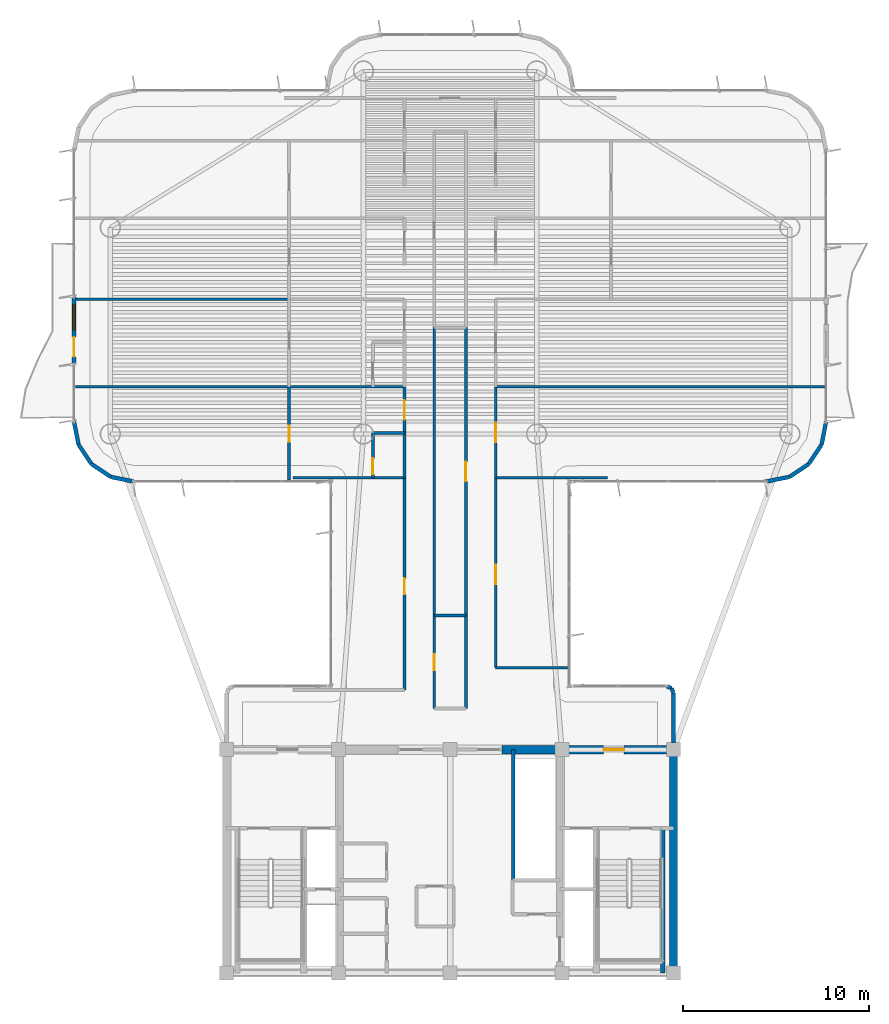
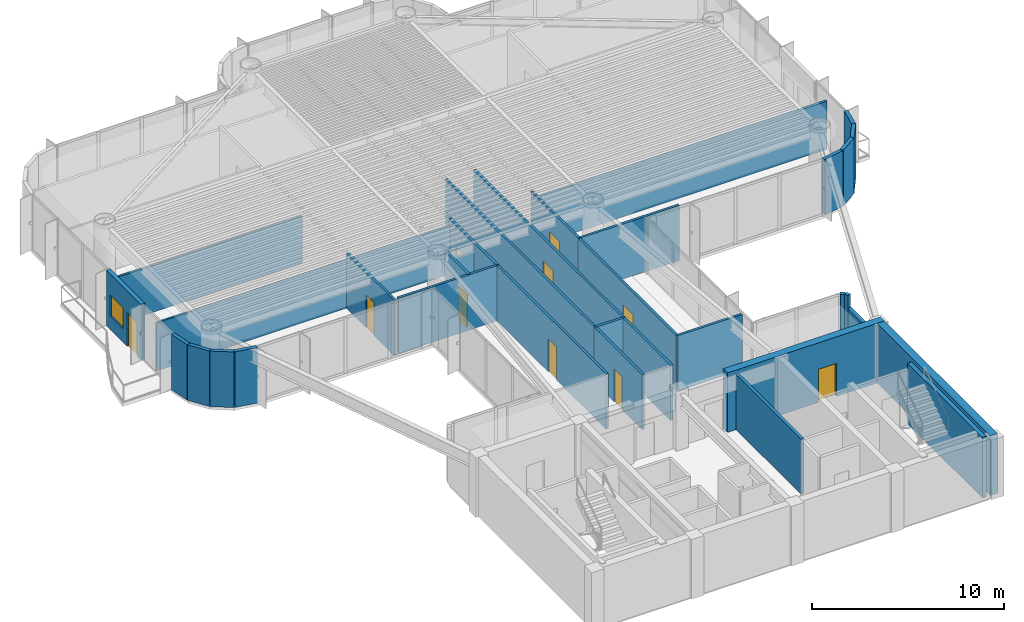
# One storey, part 10 of 14: 36 walls, 10 doors, 1 window, 11 openings.
"""IFC4 building model written with IfcOpenShell, lengths in metres."""

import ifcopenshell
import ifcopenshell.guid

model = None  # the IFC model being written
_history = None  # IfcOwnerHistory: only IFC2X3 demands one
_inside = {}  # id of a spatial element -> (the spatial element, [elements in it])
_under = {}  # id of a project, library or spatial element -> (it, [spatial elements below it])
_declared = {}  # id of a project -> (the project, [libraries it declares])
_typed = {}  # id of a type object -> (the type object, [elements of that type])
_made_of = {}  # id of a material, layer set ... -> (it, [elements and type objects made of it])


def new_model(schema):
    """Start an empty IFC model of exactly this schema.

    Asked for "IFC4X3", IfcOpenShell would pick the latest addendum, in which some entities
    have other attributes; the version numbers below select the first issue.
    IFC2X3 requires an IfcOwnerHistory on every rooted entity: one is made here for all.
    """
    global model, _history
    if schema == "IFC4X3":
        model = ifcopenshell.file(schema_version=(4, 3, 0, 0))
    else:
        model = ifcopenshell.file(schema=schema)
    _inside.clear()
    _under.clear()
    _declared.clear()
    _typed.clear()
    _made_of.clear()
    _history = None
    if model.schema == "IFC2X3":
        org = make("IfcOrganization", Name="unknown")
        user = make(
            "IfcPersonAndOrganization",
            ThePerson=make("IfcPerson", FamilyName="unknown"),
            TheOrganization=org,
        )
        app = make(
            "IfcApplication",
            ApplicationDeveloper=org,
            Version="unknown",
            ApplicationFullName="unknown",
            ApplicationIdentifier="unknown",
        )
        _history = make(
            "IfcOwnerHistory",
            OwningUser=user,
            OwningApplication=app,
            ChangeAction="ADDED",
            CreationDate=0,
        )
    return model


def make(cls, **values):
    """One entity of the class cls with the attributes given. An attribute that is None is left unset."""
    return model.create_entity(
        cls, **{name: value for name, value in values.items() if value is not None}
    )


def rooted(cls, **values):
    """An entity with a GlobalId (a new one), such as an element, a storey or a relation."""
    return make(cls, GlobalId=ifcopenshell.guid.new(), OwnerHistory=_history, **values)


def si_unit(unit_type, name, prefix=None):
    """IfcSIUnit, for example si_unit("LENGTHUNIT", "METRE", prefix="MILLI")."""
    return make("IfcSIUnit", UnitType=unit_type, Prefix=prefix, Name=name)


def assignment(units):
    """IfcUnitAssignment: the units of a project."""
    return None if units is None else make("IfcUnitAssignment", Units=units)


def point(xyz):
    """IfcCartesianPoint."""
    return None if xyz is None else make("IfcCartesianPoint", Coordinates=xyz)


def direction(xyz):
    """IfcDirection."""
    return None if xyz is None else make("IfcDirection", DirectionRatios=xyz)


def frame(location, z_axis=None, x_axis=None):
    """IfcAxis2Placement3D, a coordinate frame: its origin and axes. An axis left out is left unset."""
    return make(
        "IfcAxis2Placement3D",
        Location=point(location),
        Axis=direction(z_axis),
        RefDirection=direction(x_axis),
    )


def frame_2d(location, x_axis=None):
    """IfcAxis2Placement2D, a coordinate frame in the plane: its origin and x axis."""
    return make(
        "IfcAxis2Placement2D", Location=point(location), RefDirection=direction(x_axis)
    )


def origin():
    """The frame at (0, 0, 0) with its axes left unset."""
    return frame((0.0, 0.0, 0.0))


def origin_2d():
    """The frame at (0, 0) in the plane with its x axis left unset."""
    return frame_2d((0.0, 0.0))


def place(relative_to, where):
    """IfcLocalPlacement: puts the frame where relative to a parent placement (None: the world)."""
    return make(
        "IfcLocalPlacement", PlacementRelTo=relative_to, RelativePlacement=where
    )


def context(
    kind, dimensions, precision=None, world=None, true_north=None, identifier=None
):
    """IfcGeometricRepresentationContext, for example the 3D "Model" context."""
    return make(
        "IfcGeometricRepresentationContext",
        ContextIdentifier=identifier,
        ContextType=kind,
        CoordinateSpaceDimension=dimensions,
        Precision=precision,
        WorldCoordinateSystem=world,
        TrueNorth=true_north,
    )


def subcontext(parent, identifier, kind, view, scale=None):
    """IfcGeometricRepresentationSubContext, for example "Body" below "Model"."""
    return make(
        "IfcGeometricRepresentationSubContext",
        ContextIdentifier=identifier,
        ContextType=kind,
        ParentContext=parent,
        TargetScale=scale,
        TargetView=view,
    )


def project(units=None, contexts=None):
    """IfcProject with its units and contexts."""
    return rooted(
        "IfcProject",
        Name="project",
        RepresentationContexts=contexts,
        UnitsInContext=assignment(units),
    )


def spatial(cls, under=None, at=None, **own):
    """A site, building, storey or space (cls), placed at a placement, below another one or the project."""
    s = rooted(cls, ObjectPlacement=at, **own)
    if under is not None:
        _under.setdefault(under.id(), (under, []))[1].append(s)
    return s


def profile(cls, at=None, kind="AREA", **sizes):
    """A parametric profile (cls). Its sizes go by their IFC names, for example OverallWidth=200.0."""
    return make(cls, ProfileType=kind, Position=at, **sizes)


def rectangle(**sizes):
    """IfcRectangleProfileDef."""
    return profile("IfcRectangleProfileDef", **sizes)


def extrude(swept, where, along, depth):
    """IfcExtrudedAreaSolid: the profile swept, set in the frame where, extruded along a direction by depth."""
    return make(
        "IfcExtrudedAreaSolid",
        SweptArea=swept,
        Position=where,
        ExtrudedDirection=direction(along),
        Depth=depth,
    )


def shape(context_of_items, identifier, shape_type, items):
    """IfcShapeRepresentation: the items that make up one representation, for example the "Body"."""
    return make(
        "IfcShapeRepresentation",
        ContextOfItems=context_of_items,
        RepresentationIdentifier=identifier,
        RepresentationType=shape_type,
        Items=items,
    )


def source(mapping_origin, context_of_items, identifier, shape_type, items):
    """IfcRepresentationMap: a shape defined once, which mapped items show again and again."""
    return make(
        "IfcRepresentationMap",
        MappingOrigin=mapping_origin,
        MappedRepresentation=shape(context_of_items, identifier, shape_type, items),
    )


def transform(
    local_origin,
    x_axis=None,
    y_axis=None,
    z_axis=None,
    scale=None,
    scale2=None,
    scale3=None,
    uniform=True,
):
    """IfcCartesianTransformationOperator3D, or its non-uniform kind. x_axis, y_axis, z_axis: its Axis1, 2, 3."""
    if uniform:
        return make(
            "IfcCartesianTransformationOperator3D",
            Axis1=direction(x_axis),
            Axis2=direction(y_axis),
            LocalOrigin=point(local_origin),
            Scale=scale,
            Axis3=direction(z_axis),
        )
    return make(
        "IfcCartesianTransformationOperator3DnonUniform",
        Axis1=direction(x_axis),
        Axis2=direction(y_axis),
        LocalOrigin=point(local_origin),
        Scale=scale,
        Axis3=direction(z_axis),
        Scale2=scale2,
        Scale3=scale3,
    )


def mapped(mapping_source, mapping_target):
    """IfcMappedItem: shows the shape of a source again, moved by a transform."""
    return make(
        "IfcMappedItem", MappingSource=mapping_source, MappingTarget=mapping_target
    )


def material(Name=None, Category=None):
    """IfcMaterial."""
    return make("IfcMaterial", Name=Name, Category=Category)


def layer(
    of_material, thickness, ventilated=None, Name=None, Category=None, Priority=None
):
    """IfcMaterialLayer: one layer of a wall or slab, of a material (None: an air gap)."""
    return make(
        "IfcMaterialLayer",
        Material=of_material,
        LayerThickness=thickness,
        IsVentilated=ventilated,
        Name=Name,
        Category=Category,
        Priority=Priority,
    )


def layer_set(layers, Name=None):
    """IfcMaterialLayerSet."""
    return make("IfcMaterialLayerSet", MaterialLayers=layers, LayerSetName=Name)


def made_of(thing, what):
    """Note that an element or type object is made of a material, layer set ...; save() writes the relation."""
    if what is not None:
        _made_of.setdefault(what.id(), (what, []))[1].append(thing)
    return thing


def type_object(cls, material=None, **own):
    """A type object (cls), such as IfcWallType, which elements share."""
    return made_of(rooted(cls, **own), material)


def element(
    cls,
    number,
    at=None,
    inside=None,
    cuts=None,
    type_object=None,
    material=None,
    context=None,
    identifier="Body",
    shape_type=None,
    held_by="IfcProductDefinitionShape",
    body=None,
    shapes=None,
    **own,
):
    """One element of the class cls, such as IfcWall. Its Tag is "e" and its number.

    at: its placement. inside: the storey or other place that contains it. cuts: it is an
    opening in that element (IfcRelVoidsElement). A single representation is given by context,
    identifier, shape_type and body (its items); several are given by shapes. held_by: the class
    of the entity that holds the representations. save() writes the other relations.
    """
    e = rooted(cls, Tag="e%d" % number, ObjectPlacement=at, **own)
    if body is not None:
        shapes = [shape(context, identifier, shape_type, body)]
    if shapes is not None:
        e.Representation = make(held_by, Representations=shapes)
    if inside is not None:
        _inside.setdefault(inside.id(), (inside, []))[1].append(e)
    if cuts is not None:
        rooted(
            "IfcRelVoidsElement", RelatingBuildingElement=cuts, RelatedOpeningElement=e
        )
    if type_object is not None:
        _typed.setdefault(type_object.id(), (type_object, []))[1].append(e)
    return made_of(e, material)


def fill(opening, filler):
    """IfcRelFillsElement: the door or window that sits in an opening."""
    return rooted(
        "IfcRelFillsElement",
        RelatingOpeningElement=opening,
        RelatedBuildingElement=filler,
    )


def aggregate(whole, parts):
    """IfcRelAggregates: a whole, such as a stair, and the parts it consists of."""
    return rooted("IfcRelAggregates", RelatingObject=whole, RelatedObjects=parts)


def save(model, path):
    """Write the relations noted so far, then the file.

    IfcRelAggregates (storeys below a building ...), IfcRelContainedInSpatialStructure (elements
    in a storey), IfcRelDefinesByType, IfcRelAssociatesMaterial and IfcRelDeclares: one each for
    every whole, place, type object, material and project.
    """
    for whole, parts in _under.values():
        aggregate(whole, parts)
    for where, things in _inside.values():
        rooted(
            "IfcRelContainedInSpatialStructure",
            RelatedElements=things,
            RelatingStructure=where,
        )
    for kind, things in _typed.values():
        rooted("IfcRelDefinesByType", RelatedObjects=things, RelatingType=kind)
    for what, things in _made_of.values():
        rooted("IfcRelAssociatesMaterial", RelatedObjects=things, RelatingMaterial=what)
    for by, libraries in _declared.values():
        rooted("IfcRelDeclares", RelatingContext=by, RelatedDefinitions=libraries)
    model.write(path)


model = new_model("IFC4")

# Units and contexts
model_context = context("Model", 3, precision=1e-05, world=origin(), true_north=direction((0.0, 1.0)))
body_context = subcontext(model_context, "Body", "Model", "MODEL_VIEW")
ifc_project = project(units=[si_unit("LENGTHUNIT", "METRE"), si_unit("AREAUNIT", "SQUARE_METRE"), si_unit("VOLUMEUNIT", "CUBIC_METRE"), si_unit("PLANEANGLEUNIT", "RADIAN"), si_unit("MASSUNIT", "GRAM", prefix="KILO")], contexts=[model_context])

# Site, building, storey
site_placement = place(None, origin())
site = spatial("IfcSite", under=ifc_project, at=site_placement, CompositionType="ELEMENT")
building_placement = place(site_placement, origin())
building = spatial("IfcBuilding", under=site, at=building_placement, Name="Brelvock Crest Care Tower", CompositionType="ELEMENT")
storey_placement = place(building_placement, frame((0.0, 0.0, 194.219970703125)))
storey = spatial("IfcBuildingStorey", under=building, at=storey_placement, Name="L49", CompositionType="ELEMENT", Elevation=194.219970703125)

# Wall
ifc_material_1 = material(Name="Concrete S65 (65 MPa)", Category="concrete")
ifc_layer_1 = layer(ifc_material_1, 0.449951171875, Name="WL-CS3")
ifc_layer_set_1 = layer_set([ifc_layer_1], Name="Concrete S65 (65 MPa)")
wall_type_1 = type_object("IfcWallType", Name="WL-CS3", PredefinedType="SHEAR", material=ifc_layer_set_1)
wall_1_placement = place(storey_placement, frame((48.0, 18.0, 0.0), z_axis=(0.0, 0.0, 1.0), x_axis=(0.0, -1.0, 0.0)))
element("IfcWall", 1, at=wall_1_placement, inside=storey, type_object=wall_type_1, Name="L49 Core East Shear Wall", PredefinedType="SHEAR", context=body_context, shape_type="SweptSolid", body=[
    extrude(rectangle(XDim=12.0, YDim=0.449951171875, at=frame_2d((6.0, 0.0))), origin(), (0.0, 0.0, 1.0), 3.780029296875),
])

# Wall, opening, door
wall_2_placement = place(storey_placement, frame((38.800048828125, 18.0, 0.0), z_axis=(0.0, 0.0, 1.0), x_axis=(1.0, 0.0, 0.0)))
wall_2 = element("IfcWall", 2, at=wall_2_placement, inside=storey, type_object=wall_type_1, Name="L49 Core North-East Shear Wall", PredefinedType="SHEAR", context=body_context, shape_type="SweptSolid", body=[
    extrude(rectangle(XDim=9.425048828125, YDim=0.449951171875, at=frame_2d((4.71240234375, 0.0))), origin(), (0.0, 0.0, 1.0), 3.780029296875),
])
opening_1_placement = place(wall_2_placement, frame((5.449951171875, 0.0, 0.0)))
opening_1 = element("IfcOpeningElement", 3, at=opening_1_placement, cuts=wall_2, Name="Opening FD-1", PredefinedType="OPENING", context=body_context, shape_type="SweptSolid", body=[
    extrude(rectangle(XDim=1.10009765625, YDim=2.10009765625, at=origin_2d()), frame((0.550048828125, 0.23486328125, 1.050048828125), z_axis=(0.0, -1.0, 0.0), x_axis=(1.0, 0.0, 0.0)), (0.0, 0.0, 1.0), 0.469970703125),
])
ifc_material_2 = material(Name="Steel Grade 350", Category="steel")
door_type_1 = type_object("IfcDoorType", Name="DR-FFL1", OperationType="NOTDEFINED", PredefinedType="DOOR", material=ifc_material_2)
shared_shape_1 = source(origin(), body_context, "Body", "SweptSolid", [
    extrude(rectangle(XDim=1.10009765625, YDim=2.10009765625, at=origin_2d()), frame((0.550048828125, 0.02490234375, 1.050048828125), z_axis=(0.0, -1.0, 0.0), x_axis=(1.0, 0.0, 0.0)), (0.0, 0.0, 1.0), 0.050048828125),
])
door_1_placement = place(opening_1_placement, origin())
door_1 = element("IfcDoor", 4, at=door_1_placement, inside=storey, type_object=door_type_1, Name="L49 Firefighting Lobby FFL-2 Exit Door", OperationType="SINGLE_SWING_RIGHT", OverallHeight=2.10009765625, OverallWidth=1.10009765625, PredefinedType="DOOR", context=body_context, shape_type="MappedRepresentation", body=[
    mapped(shared_shape_1, transform((0.0, 0.0, 0.0), x_axis=(1.0, 0.0, 0.0), y_axis=(0.0, 1.0, 0.0), z_axis=(0.0, 0.0, 1.0), scale=1.0)),
])
fill(opening_1, door_1)

# Wall
ifc_material_3 = material(Name="Concrete S80 (80 MPa)", Category="concrete")
ifc_layer_2 = layer(ifc_material_3, 0.25, Name="WL-CS6")
ifc_layer_set_2 = layer_set([ifc_layer_2], Name="Concrete S80 (80 MPa)")
wall_type_2 = type_object("IfcWallType", Name="WL-CS6", PredefinedType="SHEAR", material=ifc_layer_set_2)
wall_3_placement = place(storey_placement, frame((47.419921875, 6.0, 0.0), z_axis=(0.0, 0.0, 1.0), x_axis=(0.0, 1.0, 0.0)))
element("IfcWall", 5, at=wall_3_placement, inside=storey, type_object=wall_type_2, Name="L49 Core Stair ST-2 East Shear Wall", PredefinedType="SHEAR", context=body_context, shape_type="SweptSolid", body=[
    extrude(rectangle(XDim=7.780029296875, YDim=0.25, at=frame_2d((3.89013671875, 0.0))), origin(), (0.0, 0.0, 1.0), 3.85009765625),
])

# Wall, openings, door, window
ifc_material_4 = material(Name="Precast concrete N40 (40 MPa)", Category="concrete")
ifc_layer_3 = layer(ifc_material_4, 0.239990234375, Name="WL-EX1")
ifc_layer_set_3 = layer_set([ifc_layer_3], Name="Precast concrete N40 (40 MPa)")
wall_type_3 = type_object("IfcWallType", Name="WL-EX1", PredefinedType="SOLIDWALL", material=ifc_layer_set_3)
wall_4_placement = place(storey_placement, frame((15.800048828125, 38.699951171875, 0.0), z_axis=(0.0, 0.0, 1.0), x_axis=(0.0, 1.0, 0.0)))
wall_4 = element("IfcWall", 6, at=wall_4_placement, inside=storey, type_object=wall_type_3, Name="L49 Exterior Spandrel Wall WL-BAL-L49-W", PredefinedType="SOLIDWALL", context=body_context, shape_type="SweptSolid", body=[
    extrude(rectangle(XDim=3.60009765625, YDim=0.239990234375, at=frame_2d((1.800048828125, 0.0))), origin(), (0.0, 0.0, 1.0), 3.530029296875),
])
opening_2_placement = place(wall_4_placement, frame((0.39990234375, 0.0, 0.0)))
opening_2 = element("IfcOpeningElement", 7, at=opening_2_placement, cuts=wall_4, Name="Opening BD-1", PredefinedType="OPENING", context=body_context, shape_type="SweptSolid", body=[
    extrude(rectangle(XDim=1.050048828125, YDim=2.14990234375, at=origin_2d()), frame((0.52490234375, 0.1298828125, 1.074951171875), z_axis=(0.0, -1.0, 0.0), x_axis=(1.0, 0.0, 0.0)), (0.0, 0.0, 1.0), 0.260009765625),
])
opening_3_placement = place(wall_4_placement, frame((1.85009765625, 0.0, 0.85009765625)))
opening_3 = element("IfcOpeningElement", 8, at=opening_3_placement, cuts=wall_4, Name="Opening W-01", PredefinedType="OPENING", context=body_context, shape_type="SweptSolid", body=[
    extrude(rectangle(XDim=1.35009765625, YDim=1.35009765625, at=origin_2d()), frame((0.675048828125, 0.1298828125, 0.675048828125), z_axis=(0.0, -1.0, 0.0), x_axis=(1.0, 0.0, 0.0)), (0.0, 0.0, 1.0), 0.260009765625),
])
ifc_material_5 = material(Name="Dark Glass Double Glazed Low-E", Category="glass")
door_type_2 = type_object("IfcDoorType", Name="DR-BAL1", OperationType="NOTDEFINED", PredefinedType="DOOR", material=ifc_material_5)
shared_shape_2 = source(origin(), body_context, "Body", "SweptSolid", [
    extrude(rectangle(XDim=1.050048828125, YDim=2.14990234375, at=origin_2d()), frame((0.52490234375, 0.02490234375, 1.074951171875), z_axis=(0.0, -1.0, 0.0), x_axis=(1.0, 0.0, 0.0)), (0.0, 0.0, 1.0), 0.050048828125),
])
door_2_placement = place(opening_2_placement, origin())
door_2 = element("IfcDoor", 9, at=door_2_placement, inside=storey, type_object=door_type_2, Name="L49 W Wave Balcony Glazed Door", OperationType="SINGLE_SWING_LEFT", OverallHeight=2.14990234375, OverallWidth=1.050048828125, PredefinedType="DOOR", context=body_context, shape_type="MappedRepresentation", body=[
    mapped(shared_shape_2, transform((0.0, 0.0, 0.0), x_axis=(1.0, 0.0, 0.0), y_axis=(0.0, 1.0, 0.0), z_axis=(0.0, 0.0, 1.0), scale=1.0)),
])
fill(opening_2, door_2)
window_type = type_object("IfcWindowType", Name="WN-EX1", PartitioningType="SINGLE_PANEL", PredefinedType="WINDOW", material=ifc_material_5)
shared_shape_3 = source(origin(), body_context, "Body", "SweptSolid", [
    extrude(rectangle(XDim=1.35009765625, YDim=1.35009765625, at=origin_2d()), frame((0.675048828125, 0.030029296875, 0.675048828125), z_axis=(0.0, -1.0, 0.0), x_axis=(1.0, 0.0, 0.0)), (0.0, 0.0, 1.0), 0.06005859375),
])
window_placement = place(opening_3_placement, origin())
window = element("IfcWindow", 10, at=window_placement, inside=storey, type_object=window_type, Name="L49 W Suite Casement Window", OverallHeight=1.35009765625, OverallWidth=1.35009765625, PartitioningType="SINGLE_PANEL", PredefinedType="WINDOW", context=body_context, shape_type="MappedRepresentation", body=[
    mapped(shared_shape_3, transform((0.0, 0.0, 0.0), x_axis=(1.0, 0.0, 0.0), y_axis=(0.0, 1.0, 0.0), z_axis=(0.0, 0.0, 1.0), scale=1.0)),
])
fill(opening_3, window)

# Walls
ifc_layer_4 = layer(ifc_material_4, 0.215087890625, Name="WL-EX2")
ifc_layer_set_4 = layer_set([ifc_layer_4], Name="Precast concrete N40 (40 MPa)")
wall_type_4 = type_object("IfcWallType", Name="WL-EX2", PredefinedType="SOLIDWALL", material=ifc_layer_set_4)
wall_5_placement = place(storey_placement, frame((47.8974609375, 21.297607421875, 0.0), z_axis=(0.0, 0.0, 1.0), x_axis=(0.382673670509, -0.923883575944, 0.0)))
element("IfcWall", 11, at=wall_5_placement, inside=storey, type_object=wall_type_4, Name="L49 Rounded Corner Wall 00", PredefinedType="SOLIDWALL", context=body_context, shape_type="SweptSolid", body=[
    extrude(rectangle(XDim=0.26806640625, YDim=0.215087890625, at=frame_2d((0.134033203125, 0.0))), origin(), (0.0, 0.0, 1.0), 3.530029296875),
])
wall_6_placement = place(storey_placement, frame((48.0, 21.050048828125, 0.0), z_axis=(0.0, 0.0, 1.0), x_axis=(0.0, -1.0, 0.0)))
element("IfcWall", 12, at=wall_6_placement, inside=storey, type_object=wall_type_4, Name="L49 Rounded Corner Wall 01", PredefinedType="SOLIDWALL", context=body_context, shape_type="SweptSolid", body=[
    extrude(rectangle(XDim=2.695068359375, YDim=0.215087890625, at=frame_2d((1.34765625, 0.0))), origin(), (0.0, 0.0, 1.0), 2.718017578125),
])
for number, where, z_axis, x_axis, name in (
    (13, (19.0, 32.39990234375, 0.0), (0.0, 0.0, 1.0), (-0.980775717779, 0.195138390419, 0.0), "L49 Rounded Corner Wall 13"),
    (14, (17.775390625, 32.6435546875, 0.0), (0.0, 0.0, 1.0), (-0.831387912822, 0.555692485475, 0.0), "L49 Rounded Corner Wall 14"),
    (15, (16.7373046875, 33.33740234375, 0.0), (0.0, 0.0, 1.0), (-0.555557312883, 0.831478245117, 0.0), "L49 Rounded Corner Wall 15"),
    (16, (16.043701171875, 34.37548828125, 0.0), (0.0, 0.0, 1.0), (-0.195138390419, 0.980775717779, 0.0), "L49 Rounded Corner Wall 16"),
    (17, (56.199951171875, 35.60009765625, 0.0), (0.0, 0.0, 1.0), (-0.195138390419, -0.980775717779, 0.0), "L49 Rounded Corner Wall 40"),
    (18, (55.956298828125, 34.37548828125, 0.0), (0.0, 0.0, 1.0), (-0.555557312883, -0.831478245117, 0.0), "L49 Rounded Corner Wall 41"),
    (19, (55.2626953125, 33.33740234375, 0.0), (0.0, 0.0, 1.0), (-0.831387912822, -0.555692485475, 0.0), "L49 Rounded Corner Wall 42"),
    (20, (54.224609375, 32.6435546875, 0.0), (0.0, 0.0, 1.0), (-0.980775717779, -0.195138390419, 0.0), "L49 Rounded Corner Wall 43"),
):
    element("IfcWall", number, at=place(storey_placement, frame(where, z_axis=z_axis, x_axis=x_axis)), inside=storey, type_object=wall_type_4, Name=name, PredefinedType="SOLIDWALL", context=body_context, shape_type="SweptSolid", body=[
        extrude(rectangle(XDim=1.24853515625, YDim=0.215087890625, at=frame_2d((0.624267578125, 0.0))), origin(), (0.0, 0.0, 1.0), 3.530029296875),
    ])
wall_7_placement = place(storey_placement, frame((47.64990234375, 21.39990234375, 0.0), z_axis=(0.0, 0.0, 1.0), x_axis=(0.924205486139, -0.381895560841, 0.0)))
element("IfcWall", 21, at=wall_7_placement, inside=storey, type_object=wall_type_4, Name="L49 Rounded Corner Wall 47", PredefinedType="SOLIDWALL", context=body_context, shape_type="SweptSolid", body=[
    extrude(rectangle(XDim=0.267822265625, YDim=0.215087890625, at=frame_2d((0.1337890625, 0.0))), origin(), (0.0, 0.0, 1.0), 3.530029296875),
])
ifc_material_6 = material(Name="Masonry Blockwork Acoustic Partition", Category="masonry")
ifc_layer_5 = layer(ifc_material_6, 0.14990234375, Name="WL-INT1")
ifc_layer_set_5 = layer_set([ifc_layer_5], Name="Masonry Blockwork Acoustic Partition")
wall_type_5 = type_object("IfcWallType", Name="WL-INT1", PredefinedType="PARTITIONING", material=ifc_layer_set_5)
wall_8_placement = place(storey_placement, frame((38.449951171875, 22.39990234375, 0.0), z_axis=(0.0, 0.0, 1.0), x_axis=(1.0, 0.0, 0.0)))
element("IfcWall", 22, at=wall_8_placement, inside=storey, type_object=wall_type_5, Name="L49 Interior Wall WL-BX-L49-THRE-S", PredefinedType="PARTITIONING", context=body_context, shape_type="SweptSolid", body=[
    extrude(rectangle(XDim=3.8701171875, YDim=0.14990234375, at=frame_2d((1.93505859375, 0.0))), origin(), (0.0, 0.0, 1.0), 3.5),
])
wall_9_placement = place(storey_placement, frame((27.55712890625, 32.60009765625, 0.0), z_axis=(0.0, 0.0, 1.0), x_axis=(1.0, 0.0, 0.0)))
element("IfcWall", 23, at=wall_9_placement, inside=storey, type_object=wall_type_5, Name="L49 Interior Wall WL-BX-L49-CS-WS1-S", PredefinedType="PARTITIONING", context=body_context, shape_type="SweptSolid", body=[
    extrude(rectangle(XDim=5.992919921875, YDim=0.14990234375, at=frame_2d((2.99658203125, 0.0))), origin(), (0.0, 0.0, 1.0), 3.5),
])
wall_10_placement = place(storey_placement, frame((38.449951171875, 32.60009765625, 0.0), z_axis=(0.0, 0.0, 1.0), x_axis=(1.0, 0.0, 0.0)))
element("IfcWall", 24, at=wall_10_placement, inside=storey, type_object=wall_type_5, Name="L49 Interior Wall WL-BX-L49-ESW1-S", PredefinedType="PARTITIONING", context=body_context, shape_type="SweptSolid", body=[
    extrude(rectangle(XDim=5.993408203125, YDim=0.14990234375, at=frame_2d((2.99658203125, 0.0))), origin(), (0.0, 0.0, 1.0), 3.5),
])
wall_11_placement = place(storey_placement, frame((27.35009765625, 37.487060546875, 0.0), z_axis=(0.0, 0.0, 1.0), x_axis=(1.0, 0.0, 0.0)))
element("IfcWall", 25, at=wall_11_placement, inside=storey, type_object=wall_type_5, Name="L49 Interior Wall WL-BX-L49-CS-WS1-N", PredefinedType="PARTITIONING", context=body_context, shape_type="SweptSolid", body=[
    extrude(rectangle(XDim=6.199951171875, YDim=0.14990234375, at=frame_2d((3.10009765625, 0.0))), origin(), (0.0, 0.0, 1.0), 3.054931640625),
])
wall_12_placement = place(storey_placement, frame((38.449951171875, 37.487060546875, 0.0), z_axis=(0.0, 0.0, 1.0), x_axis=(1.0, 0.0, 0.0)))
element("IfcWall", 26, at=wall_12_placement, inside=storey, type_object=wall_type_5, Name="L49 Interior Wall WL-BX-L49-ESW1-N", PredefinedType="PARTITIONING", context=body_context, shape_type="SweptSolid", body=[
    extrude(rectangle(XDim=17.670166015625, YDim=0.14990234375, at=frame_2d((8.8349609375, 0.0))), origin(), (0.0, 0.0, 1.0), 3.054931640625),
])

# Wall, opening, door
wall_13_placement = place(storey_placement, frame((27.35009765625, 32.47998046875, 0.0), z_axis=(0.0, 0.0, 1.0), x_axis=(0.0, 1.0, 0.0)))
wall_13 = element("IfcWall", 27, at=wall_13_placement, inside=storey, type_object=wall_type_5, Name="L49 Interior Wall WL-RM-L49-WS1S", PredefinedType="PARTITIONING", context=body_context, shape_type="SweptSolid", body=[
    extrude(rectangle(XDim=5.007080078125, YDim=0.14990234375, at=frame_2d((2.50341796875, 0.0))), origin(), (0.0, 0.0, 1.0), 3.5),
])
opening_4_placement = place(wall_13_placement, frame((2.06005859375, 0.0, 0.0)))
opening_4 = element("IfcOpeningElement", 28, at=opening_4_placement, cuts=wall_13, Name="Opening ID-1", PredefinedType="OPENING", context=body_context, shape_type="SweptSolid", body=[
    extrude(rectangle(XDim=0.860107421875, YDim=2.10009765625, at=origin_2d()), frame((0.43017578125, 0.0849609375, 1.050048828125), z_axis=(0.0, -1.0, 0.0), x_axis=(1.0, 0.0, 0.0)), (0.0, 0.0, 1.0), 0.169921875),
])
ifc_material_7 = material(Name="Engineered Hardwood Timber", Category="wood")
door_type_3 = type_object("IfcDoorType", Name="DR-INT1", OperationType="NOTDEFINED", PredefinedType="DOOR", material=ifc_material_7)
shared_shape_4 = source(origin(), body_context, "Body", "SweptSolid", [
    extrude(rectangle(XDim=0.860107421875, YDim=2.10009765625, at=origin_2d()), frame((0.43017578125, 0.02490234375, 1.050048828125), z_axis=(0.0, -1.0, 0.0), x_axis=(1.0, 0.0, 0.0)), (0.0, 0.0, 1.0), 0.050048828125),
])
door_3_placement = place(opening_4_placement, origin())
door_3 = element("IfcDoor", 29, at=door_3_placement, inside=storey, type_object=door_type_3, Name="L49 Skilled Nursing Mobility Store Door WS1S", OperationType="SINGLE_SWING_LEFT", OverallHeight=2.10009765625, OverallWidth=0.860107421875, PredefinedType="DOOR", context=body_context, shape_type="MappedRepresentation", body=[
    mapped(shared_shape_4, transform((0.0, 0.0, 0.0), x_axis=(1.0, 0.0, 0.0), y_axis=(0.0, 1.0, 0.0), z_axis=(0.0, 0.0, 1.0), scale=1.0)),
])
fill(opening_4, door_3)

wall_14_placement = place(storey_placement, frame((33.550048828125, 21.199951171875, 0.0), z_axis=(0.0, 0.0, 1.0), x_axis=(0.0, 1.0, 0.0)))
wall_14 = element("IfcWall", 30, at=wall_14_placement, inside=storey, type_object=wall_type_5, Name="L49 Interior Wall WL-RM-L49-THRW", PredefinedType="PARTITIONING", context=body_context, shape_type="SweptSolid", body=[
    extrude(rectangle(XDim=11.400146484375, YDim=0.14990234375, at=frame_2d((5.7001953125, 0.0))), origin(), (0.0, 0.0, 1.0), 3.5),
])
opening_5_placement = place(wall_14_placement, frame((5.139892578125, 0.0, 0.0)))
opening_5 = element("IfcOpeningElement", 31, at=opening_5_placement, cuts=wall_14, Name="Opening ID-1", PredefinedType="OPENING", context=body_context, shape_type="SweptSolid", body=[
    extrude(rectangle(XDim=0.860107421875, YDim=2.10009765625, at=origin_2d()), frame((0.43017578125, 0.0849609375, 1.050048828125), z_axis=(0.0, -1.0, 0.0), x_axis=(1.0, 0.0, 0.0)), (0.0, 0.0, 1.0), 0.169921875),
])
door_4_placement = place(opening_5_placement, origin())
door_4 = element("IfcDoor", 32, at=door_4_placement, inside=storey, type_object=door_type_3, Name="L49 Quiet Family Consultation Room Door THRW", OperationType="SINGLE_SWING_LEFT", OverallHeight=2.10009765625, OverallWidth=0.860107421875, PredefinedType="DOOR", context=body_context, shape_type="MappedRepresentation", body=[
    mapped(shared_shape_4, transform((0.0, 0.0, 0.0), x_axis=(1.0, 0.0, 0.0), y_axis=(0.0, 1.0, 0.0), z_axis=(0.0, 0.0, 1.0), scale=1.0)),
])
fill(opening_5, door_4)

wall_15_placement = place(storey_placement, frame((33.550048828125, 35.0, 0.0), z_axis=(0.0, 0.0, 1.0), x_axis=(0.0, 1.0, 0.0)))
wall_15 = element("IfcWall", 33, at=wall_15_placement, inside=storey, type_object=wall_type_5, Name="L49 Interior Wall WL-CENT-L49-WS1", PredefinedType="PARTITIONING", context=body_context, shape_type="SweptSolid", body=[
    extrude(rectangle(XDim=2.487060546875, YDim=0.14990234375, at=frame_2d((1.24365234375, 0.0))), origin(), (0.0, 0.0, 1.0), 3.5),
])
opening_6_placement = place(wall_15_placement, frame((0.72412109375, 0.0, 0.0)))
opening_6 = element("IfcOpeningElement", 34, at=opening_6_placement, cuts=wall_15, Name="Opening CD-1", PredefinedType="OPENING", context=body_context, shape_type="SweptSolid", body=[
    extrude(rectangle(XDim=1.050048828125, YDim=2.10009765625, at=origin_2d()), frame((0.52490234375, 0.0849609375, 1.050048828125), z_axis=(0.0, -1.0, 0.0), x_axis=(1.0, 0.0, 0.0)), (0.0, 0.0, 1.0), 0.169921875),
])
door_type_4 = type_object("IfcDoorType", Name="DR-CARE1", OperationType="NOTDEFINED", PredefinedType="DOOR", material=ifc_material_7)
shared_shape_5 = source(origin(), body_context, "Body", "SweptSolid", [
    extrude(rectangle(XDim=1.050048828125, YDim=2.10009765625, at=origin_2d()), frame((0.52490234375, 0.02490234375, 1.050048828125), z_axis=(0.0, -1.0, 0.0), x_axis=(1.0, 0.0, 0.0)), (0.0, 0.0, 1.0), 0.050048828125),
])
door_5_placement = place(opening_6_placement, origin())
door_5 = element("IfcDoor", 35, at=door_5_placement, inside=storey, type_object=door_type_4, Name="L49 Care Suite Door WS1", OperationType="SINGLE_SWING_LEFT", OverallHeight=2.10009765625, OverallWidth=1.050048828125, PredefinedType="DOOR", context=body_context, shape_type="MappedRepresentation", body=[
    mapped(shared_shape_5, transform((0.0, 0.0, 0.0), x_axis=(1.0, 0.0, 0.0), y_axis=(0.0, 1.0, 0.0), z_axis=(0.0, 0.0, 1.0), scale=1.0)),
])
fill(opening_6, door_5)

# Wall
wall_16_placement = place(storey_placement, frame((35.14990234375, 25.199951171875, 0.0), z_axis=(0.0, 0.0, 1.0), x_axis=(0.0, 1.0, 0.0)))
element("IfcWall", 36, at=wall_16_placement, inside=storey, type_object=wall_type_5, Name="L49 Interior Wall WL-BX-L49-ISNS-W", PredefinedType="PARTITIONING", context=body_context, shape_type="SweptSolid", body=[
    extrude(rectangle(XDim=15.4599609375, YDim=0.14990234375, at=frame_2d((7.72998046875, 0.0))), origin(), (0.0, 0.0, 1.0), 3.5),
])

# Wall, opening, door
wall_17_placement = place(storey_placement, frame((36.85009765625, 25.199951171875, 0.0), z_axis=(0.0, 0.0, 1.0), x_axis=(0.0, 1.0, 0.0)))
wall_17 = element("IfcWall", 37, at=wall_17_placement, inside=storey, type_object=wall_type_5, Name="L49 Interior Wall WL-RM-L49-ISNS", PredefinedType="PARTITIONING", context=body_context, shape_type="SweptSolid", body=[
    extrude(rectangle(XDim=15.4599609375, YDim=0.14990234375, at=frame_2d((7.72998046875, 0.0))), origin(), (0.0, 0.0, 1.0), 3.5),
])
opening_7_placement = place(wall_17_placement, frame((7.205078125, 0.0, 0.0)))
opening_7 = element("IfcOpeningElement", 38, at=opening_7_placement, cuts=wall_17, Name="Opening CLD-1", PredefinedType="OPENING", context=body_context, shape_type="SweptSolid", body=[
    extrude(rectangle(XDim=1.050048828125, YDim=2.10009765625, at=origin_2d()), frame((0.52490234375, 0.0849609375, 1.050048828125), z_axis=(0.0, -1.0, 0.0), x_axis=(1.0, 0.0, 0.0)), (0.0, 0.0, 1.0), 0.169921875),
])
door_type_5 = type_object("IfcDoorType", Name="DR-CLN1", OperationType="NOTDEFINED", PredefinedType="DOOR", material=ifc_material_7)
shared_shape_6 = source(origin(), body_context, "Body", "SweptSolid", [
    extrude(rectangle(XDim=1.050048828125, YDim=2.10009765625, at=origin_2d()), frame((0.52490234375, 0.02490234375, 1.050048828125), z_axis=(0.0, -1.0, 0.0), x_axis=(1.0, 0.0, 0.0)), (0.0, 0.0, 1.0), 0.050048828125),
])
door_6_placement = place(opening_7_placement, origin())
door_6 = element("IfcDoor", 39, at=door_6_placement, inside=storey, type_object=door_type_5, Name="L49 Care Concierge and Triage Station Door ISNS", OperationType="SINGLE_SWING_LEFT", OverallHeight=2.10009765625, OverallWidth=1.050048828125, PredefinedType="DOOR", context=body_context, shape_type="MappedRepresentation", body=[
    mapped(shared_shape_6, transform((0.0, 0.0, 0.0), x_axis=(1.0, 0.0, 0.0), y_axis=(0.0, 1.0, 0.0), z_axis=(0.0, 0.0, 1.0), scale=1.0)),
])
fill(opening_7, door_6)

wall_18_placement = place(storey_placement, frame((38.449951171875, 22.39990234375, 0.0), z_axis=(0.0, 0.0, 1.0), x_axis=(0.0, 1.0, 0.0)))
wall_18 = element("IfcWall", 40, at=wall_18_placement, inside=storey, type_object=wall_type_5, Name="L49 Interior Wall WL-RM-L49-THRE", PredefinedType="PARTITIONING", context=body_context, shape_type="SweptSolid", body=[
    extrude(rectangle(XDim=10.2001953125, YDim=0.14990234375, at=frame_2d((5.10009765625, 0.0))), origin(), (0.0, 0.0, 1.0), 3.5),
])
opening_8_placement = place(wall_18_placement, frame((4.47509765625, 0.0, 0.0)))
opening_8 = element("IfcOpeningElement", 41, at=opening_8_placement, cuts=wall_18, Name="Opening CLD-1", PredefinedType="OPENING", context=body_context, shape_type="SweptSolid", body=[
    extrude(rectangle(XDim=1.050048828125, YDim=2.10009765625, at=origin_2d()), frame((0.52490234375, 0.0849609375, 1.050048828125), z_axis=(0.0, -1.0, 0.0), x_axis=(1.0, 0.0, 0.0)), (0.0, 0.0, 1.0), 0.169921875),
])
door_7_placement = place(opening_8_placement, origin())
door_7 = element("IfcDoor", 42, at=door_7_placement, inside=storey, type_object=door_type_5, Name="L49 Allied Health Therapy Room Door THRE", OperationType="SINGLE_SWING_LEFT", OverallHeight=2.10009765625, OverallWidth=1.050048828125, PredefinedType="DOOR", context=body_context, shape_type="MappedRepresentation", body=[
    mapped(shared_shape_6, transform((0.0, 0.0, 0.0), x_axis=(1.0, 0.0, 0.0), y_axis=(0.0, 1.0, 0.0), z_axis=(0.0, 0.0, 1.0), scale=1.0)),
])
fill(opening_8, door_7)

wall_19_placement = place(storey_placement, frame((38.449951171875, 32.60009765625, 0.0), z_axis=(0.0, 0.0, 1.0), x_axis=(0.0, 1.0, 0.0)))
wall_19 = element("IfcWall", 43, at=wall_19_placement, inside=storey, type_object=wall_type_5, Name="L49 Interior Wall WL-RM-L49-ESW1", PredefinedType="PARTITIONING", context=body_context, shape_type="SweptSolid", body=[
    extrude(rectangle(XDim=4.886962890625, YDim=0.14990234375, at=frame_2d((2.443359375, 0.0))), origin(), (0.0, 0.0, 1.0), 3.5),
])
opening_9_placement = place(wall_19_placement, frame((1.9189453125, 0.0, 0.0)))
opening_9 = element("IfcOpeningElement", 44, at=opening_9_placement, cuts=wall_19, Name="Opening CD-1", PredefinedType="OPENING", context=body_context, shape_type="SweptSolid", body=[
    extrude(rectangle(XDim=1.050048828125, YDim=2.10009765625, at=origin_2d()), frame((0.52490234375, 0.0849609375, 1.050048828125), z_axis=(0.0, -1.0, 0.0), x_axis=(1.0, 0.0, 0.0)), (0.0, 0.0, 1.0), 0.169921875),
])
door_8_placement = place(opening_9_placement, origin())
door_8 = element("IfcDoor", 45, at=door_8_placement, inside=storey, type_object=door_type_4, Name="L49 Skilled Nursing Telemetry Ward Door ESW1", OperationType="SINGLE_SWING_LEFT", OverallHeight=2.10009765625, OverallWidth=1.050048828125, PredefinedType="DOOR", context=body_context, shape_type="MappedRepresentation", body=[
    mapped(shared_shape_5, transform((0.0, 0.0, 0.0), x_axis=(1.0, 0.0, 0.0), y_axis=(0.0, 1.0, 0.0), z_axis=(0.0, 0.0, 1.0), scale=1.0)),
])
fill(opening_9, door_8)

# Walls
ifc_material_8 = material(Name="Gypsum Plasterboard Partition", Category="gypsum")
ifc_layer_6 = layer(ifc_material_8, 0.1201171875, Name="WL-INT2")
ifc_layer_set_6 = layer_set([ifc_layer_6], Name="Gypsum Plasterboard Partition")
wall_type_6 = type_object("IfcWallType", Name="WL-INT2", PredefinedType="PARTITIONING", material=ifc_layer_set_6)
wall_20_placement = place(storey_placement, frame((15.8798828125, 37.487060546875, 0.0), z_axis=(0.0, 0.0, 1.0), x_axis=(1.0, 0.0, 0.0)))
element("IfcWall", 46, at=wall_20_placement, inside=storey, type_object=wall_type_6, Name="L49 Interior Wall WL-BX-L49-WS1S-N", PredefinedType="PARTITIONING", context=body_context, shape_type="SweptSolid", body=[
    extrude(rectangle(XDim=11.47021484375, YDim=0.1201171875, at=frame_2d((5.735107421875, 0.0))), origin(), (0.0, 0.0, 1.0), 3.054931640625),
])
wall_21_placement = place(storey_placement, frame((15.8798828125, 42.193115234375, 0.0), z_axis=(0.0, 0.0, 1.0), x_axis=(1.0, 0.0, 0.0)))
element("IfcWall", 47, at=wall_21_placement, inside=storey, type_object=wall_type_6, Name="L49 Interior Wall WL-BX-L49-WS2S-N", PredefinedType="PARTITIONING", context=body_context, shape_type="SweptSolid", body=[
    extrude(rectangle(XDim=11.47021484375, YDim=0.1201171875, at=frame_2d((5.735107421875, 0.0))), origin(), (0.0, 0.0, 1.0), 2.98193359375),
])
ifc_layer_7 = layer(ifc_material_8, 0.159912109375, Name="WL-PLM1")
ifc_layer_set_7 = layer_set([ifc_layer_7], Name="Gypsum Plasterboard Partition")
wall_type_7 = type_object("IfcWallType", Name="WL-PLM1", PredefinedType="PLUMBINGWALL", material=ifc_layer_set_7)
wall_22_placement = place(storey_placement, frame((35.14990234375, 25.199951171875, 0.0), z_axis=(0.0, 0.0, 1.0), x_axis=(1.0, 0.0, 0.0)))
element("IfcWall", 48, at=wall_22_placement, inside=storey, type_object=wall_type_7, Name="L49 Interior Wall WL-BX-L49-ISNS-S", PredefinedType="PLUMBINGWALL", context=body_context, shape_type="SweptSolid", body=[
    extrude(rectangle(XDim=1.7001953125, YDim=0.159912109375, at=frame_2d((0.85009765625, 0.0))), origin(), (0.0, 0.0, 1.0), 3.5),
])
wall_23_placement = place(storey_placement, frame((31.85009765625, 35.0, 0.0), z_axis=(0.0, 0.0, 1.0), x_axis=(1.0, 0.0, 0.0)))
element("IfcWall", 49, at=wall_23_placement, inside=storey, type_object=wall_type_7, Name="L49 Interior Wall WL-CENS2-L49-WS1", PredefinedType="PLUMBINGWALL", context=body_context, shape_type="SweptSolid", body=[
    extrude(rectangle(XDim=1.699951171875, YDim=0.159912109375, at=frame_2d((0.85009765625, 0.0))), origin(), (0.0, 0.0, 1.0), 2.903076171875),
])

# Wall, opening, door
wall_24_placement = place(storey_placement, frame((31.85009765625, 32.60009765625, 0.0), z_axis=(0.0, 0.0, 1.0), x_axis=(0.0, 1.0, 0.0)))
wall_24 = element("IfcWall", 50, at=wall_24_placement, inside=storey, type_object=wall_type_7, Name="L49 Interior Wall WL-CENS1-L49-WS1", PredefinedType="PLUMBINGWALL", context=body_context, shape_type="SweptSolid", body=[
    extrude(rectangle(XDim=2.39990234375, YDim=0.159912109375, at=frame_2d((1.199951171875, 0.0))), origin(), (0.0, 0.0, 1.0), 3.5),
])
opening_10_placement = place(wall_24_placement, frame((0.179931640625, 0.0, 0.0)))
opening_10 = element("IfcOpeningElement", 51, at=opening_10_placement, cuts=wall_24, Name="Opening WD-1", PredefinedType="OPENING", context=body_context, shape_type="SweptSolid", body=[
    extrude(rectangle(XDim=0.860107421875, YDim=2.10009765625, at=origin_2d()), frame((0.43017578125, 0.08984375, 1.050048828125), z_axis=(0.0, -1.0, 0.0), x_axis=(1.0, 0.0, 0.0)), (0.0, 0.0, 1.0), 0.179931640625),
])
door_type_6 = type_object("IfcDoorType", Name="DR-WC1", OperationType="NOTDEFINED", PredefinedType="DOOR", material=ifc_material_7)
shared_shape_7 = source(origin(), body_context, "Body", "SweptSolid", [
    extrude(rectangle(XDim=0.860107421875, YDim=2.10009765625, at=origin_2d()), frame((0.43017578125, 0.02490234375, 1.050048828125), z_axis=(0.0, -1.0, 0.0), x_axis=(1.0, 0.0, 0.0)), (0.0, 0.0, 1.0), 0.050048828125),
])
door_9_placement = place(opening_10_placement, origin())
door_9 = element("IfcDoor", 52, at=door_9_placement, inside=storey, type_object=door_type_6, Name="L49 Care En-Suite Door WS1", OperationType="SINGLE_SWING_LEFT", OverallHeight=2.10009765625, OverallWidth=0.860107421875, PredefinedType="DOOR", context=body_context, shape_type="MappedRepresentation", body=[
    mapped(shared_shape_7, transform((0.0, 0.0, 0.0), x_axis=(1.0, 0.0, 0.0), y_axis=(0.0, 1.0, 0.0), z_axis=(0.0, 0.0, 1.0), scale=1.0)),
])
fill(opening_10, door_9)

# Wall
wall_25_placement = place(storey_placement, frame((33.550048828125, 32.60009765625, 0.0), z_axis=(0.0, 0.0, 1.0), x_axis=(0.0, 1.0, 0.0)))
element("IfcWall", 53, at=wall_25_placement, inside=storey, type_object=wall_type_7, Name="L49 Interior Wall WL-CENS0-L49-WS1", PredefinedType="PLUMBINGWALL", context=body_context, shape_type="SweptSolid", body=[
    extrude(rectangle(XDim=2.39990234375, YDim=0.159912109375, at=frame_2d((1.199951171875, 0.0))), origin(), (0.0, 0.0, 1.0), 3.5),
])

# Wall, opening, door
wall_26_placement = place(storey_placement, frame((35.14990234375, 20.199951171875, 0.0), z_axis=(0.0, 0.0, 1.0), x_axis=(0.0, 1.0, 0.0)))
wall_26 = element("IfcWall", 54, at=wall_26_placement, inside=storey, type_object=wall_type_7, Name="L49 Interior Wall WL-RM-L49-ISWC", PredefinedType="PLUMBINGWALL", context=body_context, shape_type="SweptSolid", body=[
    extrude(rectangle(XDim=5.0, YDim=0.159912109375, at=frame_2d((2.5, 0.0))), origin(), (0.0, 0.0, 1.0), 3.5),
])
opening_11_placement = place(wall_26_placement, frame((2.070068359375, 0.0, 0.0)))
opening_11 = element("IfcOpeningElement", 55, at=opening_11_placement, cuts=wall_26, Name="Opening WD-1", PredefinedType="OPENING", context=body_context, shape_type="SweptSolid", body=[
    extrude(rectangle(XDim=0.860107421875, YDim=2.10009765625, at=origin_2d()), frame((0.43017578125, 0.08984375, 1.050048828125), z_axis=(0.0, -1.0, 0.0), x_axis=(1.0, 0.0, 0.0)), (0.0, 0.0, 1.0), 0.179931640625),
])
door_10_placement = place(opening_11_placement, origin())
door_10 = element("IfcDoor", 56, at=door_10_placement, inside=storey, type_object=door_type_6, Name="L49 High-Zone Accessible WC Door ISWC", OperationType="SINGLE_SWING_LEFT", OverallHeight=2.10009765625, OverallWidth=0.860107421875, PredefinedType="DOOR", context=body_context, shape_type="MappedRepresentation", body=[
    mapped(shared_shape_7, transform((0.0, 0.0, 0.0), x_axis=(1.0, 0.0, 0.0), y_axis=(0.0, 1.0, 0.0), z_axis=(0.0, 0.0, 1.0), scale=1.0)),
])
fill(opening_11, door_10)

# Walls
wall_27_placement = place(storey_placement, frame((36.85009765625, 20.199951171875, 0.0), z_axis=(0.0, 0.0, 1.0), x_axis=(0.0, 1.0, 0.0)))
element("IfcWall", 57, at=wall_27_placement, inside=storey, type_object=wall_type_7, Name="L49 Interior Wall WL-BX-L49-ISWC-E", PredefinedType="PLUMBINGWALL", context=body_context, shape_type="SweptSolid", body=[
    extrude(rectangle(XDim=5.0, YDim=0.159912109375, at=frame_2d((2.5, 0.0))), origin(), (0.0, 0.0, 1.0), 3.5),
])
ifc_layer_8 = layer(ifc_material_6, 0.179931640625, Name="WL-SHF1")
ifc_layer_set_8 = layer_set([ifc_layer_8], Name="Masonry Blockwork Acoustic Partition")
wall_type_8 = type_object("IfcWallType", Name="WL-SHF1", PredefinedType="PARTITIONING", material=ifc_layer_set_8)
wall_28_placement = place(storey_placement, frame((39.39990234375, 11.0, 0.0), z_axis=(0.0, 0.0, 1.0), x_axis=(0.0, 1.0, 0.0)))
element("IfcWall", 58, at=wall_28_placement, inside=storey, type_object=wall_type_8, Name="L49 Interior Wall WL-PLH-SHF-L49", PredefinedType="PARTITIONING", context=body_context, shape_type="SweptSolid", body=[
    extrude(rectangle(XDim=7.0, YDim=0.179931640625, at=frame_2d((3.5, 0.0))), origin(), (0.0, 0.0, 1.0), 3.5),
])

save(model, "model.ifc")
